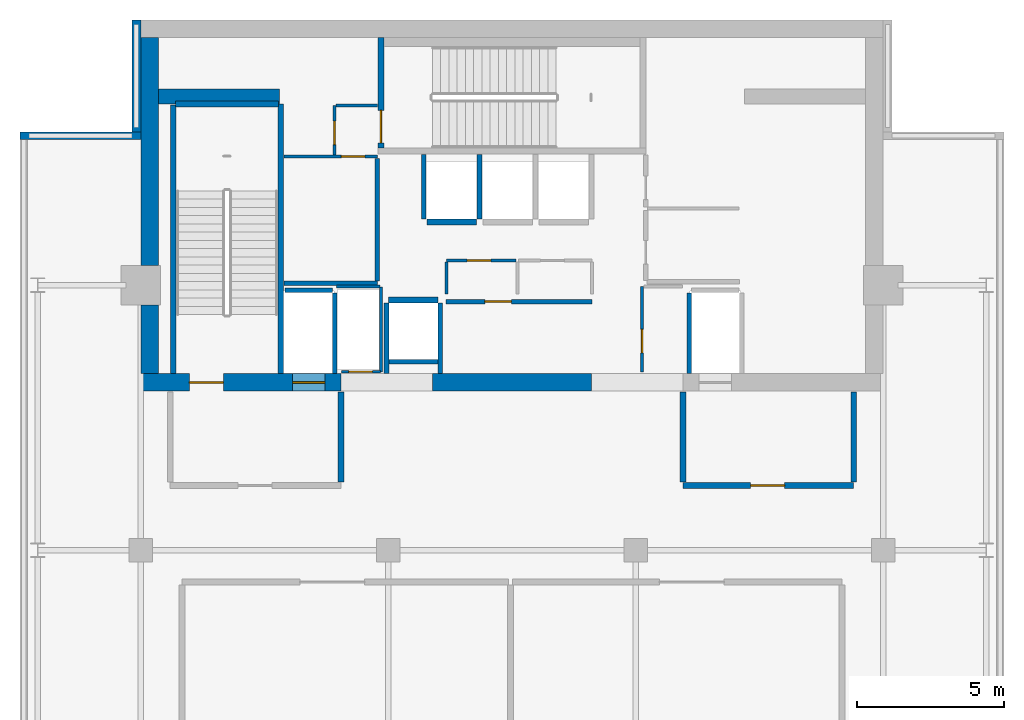
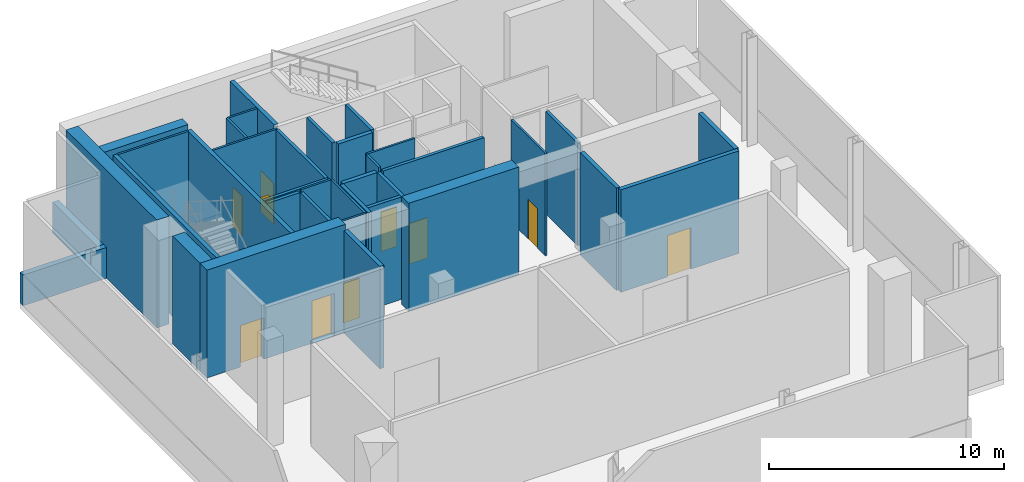
# One storey, part 2 of 6: 37 walls, 10 doors, 10 openings.
"""IFC4 building model written with IfcOpenShell, lengths in metres."""

from ifc_helpers import new_model, si_unit, direction, frame, frame_2d, origin, place, context, subcontext, project, spatial, rectangle, extrude, material, layer, layer_set, type_object, element, fill, save


model = new_model("IFC4")

# Units and contexts
model_context = context("Model", 3, precision=1e-05, world=origin(), true_north=direction((0.0, 1.0)))
body_context = subcontext(model_context, "Body", "Model", "MODEL_VIEW")
ifc_project = project(units=[si_unit("LENGTHUNIT", "METRE"), si_unit("AREAUNIT", "SQUARE_METRE"), si_unit("VOLUMEUNIT", "CUBIC_METRE"), si_unit("PLANEANGLEUNIT", "RADIAN"), si_unit("MASSUNIT", "GRAM", prefix="KILO")], contexts=[model_context])

# Site, building, storey
site_placement = place(None, origin())
site = spatial("IfcSite", under=ifc_project, at=site_placement, CompositionType="ELEMENT")
building_placement = place(site_placement, origin())
building = spatial("IfcBuilding", under=site, at=building_placement, Name="Maruvema Waterfront Hotel and Observation Tower", CompositionType="ELEMENT")
storey_placement = place(building_placement, frame((0.0, 0.0, 364.35009765625)))
storey = spatial("IfcBuildingStorey", under=building, at=storey_placement, Name="L89", CompositionType="ELEMENT", Elevation=364.35009765625)

# Wall, opening, door
ifc_material_1 = material(Name="Twin-stud acoustic gypsum drywall", Category="gypsum")
ifc_layer_1 = layer(ifc_material_1, 0.14990234375, Name="Acoustic Corridor and Suite Demising Wall 150 mm")
ifc_layer_set_1 = layer_set([ifc_layer_1], Name="Twin-stud acoustic gypsum drywall")
wall_type_1 = type_object("IfcWallType", Name="Acoustic Corridor and Suite Demising Wall 150 mm", PredefinedType="PARTITIONING", material=ifc_layer_set_1)
wall_1_placement = place(storey_placement, frame((35.56005859375, 44.43994140625, 0.0), z_axis=(0.0, 0.0, 1.0), x_axis=(1.0, 0.0, 0.0)))
wall_1 = element("IfcWall", 1, at=wall_1_placement, inside=storey, type_object=wall_type_1, Name="L89 Freed B3 Wall 017", PredefinedType="PARTITIONING", context=body_context, shape_type="SweptSolid", body=[
    extrude(rectangle(XDim=4.9599609375, YDim=0.14990234375, at=frame_2d((2.47998046875, 0.0))), origin(), (0.0, 0.0, 1.0), 5.31982421875),
])
opening_1_placement = place(wall_1_placement, frame((1.320068359375, 0.0, 0.0)))
opening_1 = element("IfcOpeningElement", 2, at=opening_1_placement, cuts=wall_1, Name="Opening DR-090", PredefinedType="OPENING", context=body_context, shape_type="SweptSolid", body=[
    extrude(rectangle(XDim=0.89990234375, YDim=2.10009765625, at=frame_2d((0.449951171875, 1.050048828125))), frame((0.0, 0.0849609375, 0.0), z_axis=(0.0, -1.0, 0.0), x_axis=(1.0, 0.0, 0.0)), (0.0, 0.0, 1.0), 0.169921875),
])
ifc_material_2 = material(Name="Solid-core lacquered timber leaf", Category="wood")
door_type_1 = type_object("IfcDoorType", Name="Accessible Toilet and Room Door 900x2100 mm", OperationType="NOTDEFINED", PredefinedType="DOOR", material=ifc_material_2)
door_1_placement = place(opening_1_placement, origin())
door_1 = element("IfcDoor", 3, at=door_1_placement, inside=storey, type_object=door_type_1, Name="L89 Freed B3 Door", OperationType="SINGLE_SWING_LEFT", OverallHeight=2.10009765625, OverallWidth=0.89990234375, PredefinedType="DOOR", context=body_context, shape_type="SweptSolid", body=[
    extrude(rectangle(XDim=0.89990234375, YDim=2.10009765625, at=frame_2d((0.449951171875, 1.050048828125))), frame((0.0, 0.02490234375, 0.0), z_axis=(0.0, -1.0, 0.0), x_axis=(1.0, 0.0, 0.0)), (0.0, 0.0, 1.0), 0.050048828125),
])
fill(opening_1, door_1)

# Walls
wall_2_placement = place(storey_placement, frame((30.06005859375, 45.06005859375, 0.0), z_axis=(0.0, 0.0, 1.0), x_axis=(1.0, 0.0, 0.0)))
element("IfcWall", 4, at=wall_2_placement, inside=storey, type_object=wall_type_1, Name="L89 Freed B1 South Wall 018", PredefinedType="PARTITIONING", context=body_context, shape_type="SweptSolid", body=[
    extrude(rectangle(XDim=3.179931640625, YDim=0.14990234375, at=frame_2d((1.58984375, 0.0))), origin(), (0.0, 0.0, 1.0), 5.31982421875),
])
wall_3_placement = place(storey_placement, frame((33.219970703125, 45.139892578125, 0.0), z_axis=(0.0, 0.0, 1.0), x_axis=(0.0, 1.0, 0.0)))
element("IfcWall", 5, at=wall_3_placement, inside=storey, type_object=wall_type_1, Name="L89 Freed B1 East Wall 019", PredefinedType="PARTITIONING", context=body_context, shape_type="SweptSolid", body=[
    extrude(rectangle(XDim=4.16015625, YDim=0.14990234375, at=frame_2d((2.080078125, 0.0))), origin(), (0.0, 0.0, 1.0), 5.31982421875),
])
ifc_material_3 = material(Name="Precast concrete C45/55", Category="concrete")
ifc_layer_2 = layer(ifc_material_3, 0.199951171875, Name="Core Shaft and Stairwell Enclosure Wall 200 mm")
ifc_layer_set_2 = layer_set([ifc_layer_2], Name="Precast concrete C45/55")
wall_type_2 = type_object("IfcWallType", Name="Core Shaft and Stairwell Enclosure Wall 200 mm", PredefinedType="SOLIDWALL", material=ifc_layer_set_2)
wall_4_placement = place(storey_placement, frame((29.949951171875, 42.0, 0.0), z_axis=(0.0, 0.0, 1.0), x_axis=(0.0, 1.0, 0.0)))
element("IfcWall", 6, at=wall_4_placement, inside=storey, type_object=wall_type_2, Name="L89 Stairwell ST-01 East Shaft Wall", PredefinedType="SOLIDWALL", context=body_context, shape_type="SweptSolid", body=[
    extrude(rectangle(XDim=9.14990234375, YDim=0.199951171875, at=frame_2d((4.574951171875, 0.0))), origin(), (0.0, 0.0, 1.0), 5.31982421875),
])
wall_5_placement = place(storey_placement, frame((26.300048828125, 42.0, 0.0), z_axis=(0.0, 0.0, 1.0), x_axis=(0.0, 1.0, 0.0)))
element("IfcWall", 7, at=wall_5_placement, inside=storey, type_object=wall_type_2, Name="L89 Stairwell ST-01 Shaft Lining Wall", PredefinedType="SOLIDWALL", context=body_context, shape_type="SweptSolid", body=[
    extrude(rectangle(XDim=9.1201171875, YDim=0.199951171875, at=frame_2d((4.56005859375, 0.0))), origin(), (0.0, 0.0, 1.0), 5.31982421875),
])
wall_6_placement = place(storey_placement, frame((26.3798828125, 51.14990234375, 0.0), z_axis=(0.0, 0.0, 1.0), x_axis=(1.0, 0.0, 0.0)))
element("IfcWall", 8, at=wall_6_placement, inside=storey, type_object=wall_type_2, Name="L89 Stairwell ST-01 Shaft Lining Wall", PredefinedType="SOLIDWALL", context=body_context, shape_type="SweptSolid", body=[
    extrude(rectangle(XDim=3.5, YDim=0.199951171875, at=frame_2d((1.75, 0.0))), origin(), (0.0, 0.0, 1.0), 5.31982421875),
])

# Wall, opening, door
wall_7_placement = place(storey_placement, frame((33.35009765625, 49.64990234375, 0.0), z_axis=(0.0, 0.0, 1.0), x_axis=(0.0, 1.0, 0.0)))
wall_7 = element("IfcWall", 9, at=wall_7_placement, inside=storey, type_object=wall_type_2, Name="L89 Stairwell ST-02 Shaft Wall", PredefinedType="SOLIDWALL", context=body_context, shape_type="SweptSolid", body=[
    extrude(rectangle(XDim=3.75, YDim=0.199951171875, at=frame_2d((1.875, 0.0))), origin(), (0.0, 0.0, 1.0), 5.31982421875),
])
opening_2_placement = place(wall_7_placement, frame((0.179931640625, 0.0, 0.0)))
opening_2 = element("IfcOpeningElement", 10, at=opening_2_placement, cuts=wall_7, Name="Opening SD-02", PredefinedType="OPENING", context=body_context, shape_type="SweptSolid", body=[
    extrude(rectangle(XDim=1.10009765625, YDim=2.14990234375, at=frame_2d((0.550048828125, 1.074951171875))), frame((0.0, 0.10986328125, 0.0), z_axis=(0.0, -1.0, 0.0), x_axis=(1.0, 0.0, 0.0)), (0.0, 0.0, 1.0), 0.219970703125),
])
ifc_material_4 = material(Name="Fire-rated galvanised steel leaf", Category="steel")
door_type_2 = type_object("IfcDoorType", Name="Central Exit Stair Fire Door 1100x2150 mm", OperationType="NOTDEFINED", PredefinedType="DOOR", material=ifc_material_4)
door_2_placement = place(opening_2_placement, frame((1.10009765625, 0.0, 0.0), z_axis=(0.0, 0.0, 1.0), x_axis=(-1.0, 0.0, 0.0)))
door_2 = element("IfcDoor", 11, at=door_2_placement, inside=storey, type_object=door_type_2, Name="L89 Exit Stair ST-02 Fire Door", OperationType="SINGLE_SWING_LEFT", OverallHeight=2.14990234375, OverallWidth=1.10009765625, PredefinedType="DOOR", context=body_context, shape_type="SweptSolid", body=[
    extrude(rectangle(XDim=1.10009765625, YDim=2.14990234375, at=frame_2d((0.550048828125, 1.074951171875))), frame((0.0, 0.02490234375, 0.0), z_axis=(0.0, -1.0, 0.0), x_axis=(1.0, 0.0, 0.0)), (0.0, 0.0, 1.0), 0.050048828125),
])
fill(opening_2, door_2)

# Walls
wall_8_placement = place(storey_placement, frame((34.909912109375, 47.14990234375, 0.0), z_axis=(0.0, 0.0, 1.0), x_axis=(1.0, 0.0, 0.0)))
element("IfcWall", 12, at=wall_8_placement, inside=storey, type_object=wall_type_2, Name="L89 Lift LF-12 Hoistway Front Wall", PredefinedType="SOLIDWALL", context=body_context, shape_type="SweptSolid", body=[
    extrude(rectangle(XDim=1.68017578125, YDim=0.199951171875, at=frame_2d((0.840087890625, 0.0))), origin(), (0.0, 0.0, 1.0), 5.31982421875),
])
wall_9_placement = place(storey_placement, frame((33.610107421875, 44.5, 0.0), z_axis=(0.0, 0.0, 1.0), x_axis=(1.0, 0.0, 0.0)))
element("IfcWall", 13, at=wall_9_placement, inside=storey, type_object=wall_type_2, Name="L89 Lift LF-15 Hoistway Front Wall", PredefinedType="SOLIDWALL", context=body_context, shape_type="SweptSolid", body=[
    extrude(rectangle(XDim=1.679931640625, YDim=0.199951171875, at=frame_2d((0.83984375, 0.0))), origin(), (0.0, 0.0, 1.0), 5.31982421875),
])
ifc_material_5 = material(Name="Concrete C70/85", Category="concrete")
ifc_layer_3 = layer(ifc_material_5, 0.5, Name="Core Shear Wall 500 mm")
ifc_layer_set_3 = layer_set([ifc_layer_3], Name="Concrete C70/85")
wall_type_3 = type_object("IfcWallType", Name="Core Shear Wall 500 mm", PredefinedType="SHEAR", material=ifc_layer_set_3)
wall_10_placement = place(storey_placement, frame((25.800048828125, 51.39990234375, 0.0), z_axis=(0.0, 0.0, 1.0), x_axis=(1.0, 0.0, 0.0)))
element("IfcWall", 14, at=wall_10_placement, inside=storey, type_object=wall_type_3, Name="L89 Internal Core Shear Wall NW 500 mm", PredefinedType="SHEAR", context=body_context, shape_type="SweptSolid", body=[
    extrude(rectangle(XDim=4.099853515625, YDim=0.5, at=frame_2d((2.0498046875, 0.0))), origin(), (0.0, 0.0, 1.0), 5.599853515625),
])

# Wall, openings, doors
ifc_material_6 = material(Name="Concrete C60/75", Category="concrete")
ifc_layer_4 = layer(ifc_material_6, 0.60009765625, Name="Core Shear Wall 600 mm")
ifc_layer_set_4 = layer_set([ifc_layer_4], Name="Concrete C60/75")
wall_type_4 = type_object("IfcWallType", Name="Core Shear Wall 600 mm", PredefinedType="SHEAR", material=ifc_layer_set_4)
wall_11_placement = place(storey_placement, frame((25.199951171875, 41.699951171875, 0.0), z_axis=(0.0, 0.0, 1.0), x_axis=(1.0, 0.0, 0.0)))
wall_11 = element("IfcWall", 15, at=wall_11_placement, inside=storey, type_object=wall_type_4, Name="L89 South-West Core Shear Wall", PredefinedType="SHEAR", context=body_context, shape_type="SweptSolid", body=[
    extrude(rectangle(XDim=6.800048828125, YDim=0.60009765625, at=frame_2d((3.39990234375, 0.0))), origin(), (0.0, 0.0, 1.0), 5.599853515625),
])
opening_3_placement = place(wall_11_placement, frame((1.64990234375, 0.0, 0.0)))
opening_3 = element("IfcOpeningElement", 16, at=opening_3_placement, cuts=wall_11, Name="Opening SD-01", PredefinedType="OPENING", context=body_context, shape_type="SweptSolid", body=[
    extrude(rectangle(XDim=1.14990234375, YDim=2.14990234375, at=frame_2d((0.574951171875, 1.074951171875))), frame((0.0, 0.31005859375, 0.0), z_axis=(0.0, -1.0, 0.0), x_axis=(1.0, 0.0, 0.0)), (0.0, 0.0, 1.0), 0.6201171875),
])
opening_4_placement = place(wall_11_placement, frame((5.14990234375, 0.0, 0.0)))
opening_4 = element("IfcOpeningElement", 17, at=opening_4_placement, cuts=wall_11, Name="Opening LD-03", PredefinedType="OPENING", context=body_context, shape_type="SweptSolid", body=[
    extrude(rectangle(XDim=1.10009765625, YDim=2.199951171875, at=frame_2d((0.550048828125, 1.10009765625))), frame((0.0, 0.31005859375, 0.0), z_axis=(0.0, -1.0, 0.0), x_axis=(1.0, 0.0, 0.0)), (0.0, 0.0, 1.0), 0.6201171875),
])
ifc_material_7 = material(Name="Fire-rated galvanised steel leaf", Category="steel")
door_type_3 = type_object("IfcDoorType", Name="Exit Stair Fire Door 1150x2150 mm", OperationType="NOTDEFINED", PredefinedType="DOOR", material=ifc_material_7)
door_3_placement = place(opening_3_placement, origin())
door_3 = element("IfcDoor", 18, at=door_3_placement, inside=storey, type_object=door_type_3, Name="L89 Exit Stair ST-01 Fire Door", OperationType="SINGLE_SWING_LEFT", OverallHeight=2.14990234375, OverallWidth=1.14990234375, PredefinedType="DOOR", context=body_context, shape_type="SweptSolid", body=[
    extrude(rectangle(XDim=1.14990234375, YDim=2.14990234375, at=frame_2d((0.574951171875, 1.074951171875))), frame((0.0, 0.02490234375, 0.0), z_axis=(0.0, -1.0, 0.0), x_axis=(1.0, 0.0, 0.0)), (0.0, 0.0, 1.0), 0.050048828125),
])
fill(opening_3, door_3)
ifc_material_8 = material(Name="Brushed stainless steel Grade 316", Category="steel")
door_type_4 = type_object("IfcDoorType", Name="Firefighting Lift Sliding Landing Door 1100x2200 mm", OperationType="SLIDING_TO_LEFT", PredefinedType="DOOR", material=ifc_material_8)
door_4_placement = place(opening_4_placement, frame((1.10009765625, 0.0, 0.0), z_axis=(0.0, 0.0, 1.0), x_axis=(-1.0, 0.0, 0.0)))
door_4 = element("IfcDoor", 19, at=door_4_placement, inside=storey, type_object=door_type_4, Name="L89 Firefighting Lift FL-01 Landing Door", OperationType="SLIDING_TO_LEFT", OverallHeight=2.199951171875, OverallWidth=1.10009765625, PredefinedType="DOOR", context=body_context, shape_type="SweptSolid", body=[
    extrude(rectangle(XDim=1.10009765625, YDim=2.199951171875, at=frame_2d((0.550048828125, 1.10009765625))), frame((0.0, 0.02490234375, 0.0), z_axis=(0.0, -1.0, 0.0), x_axis=(1.0, 0.0, 0.0)), (0.0, 0.0, 1.0), 0.050048828125),
])
fill(opening_4, door_4)

# Walls
wall_12_placement = place(storey_placement, frame((35.10009765625, 41.699951171875, 0.0), z_axis=(0.0, 0.0, 1.0), x_axis=(1.0, 0.0, 0.0)))
element("IfcWall", 20, at=wall_12_placement, inside=storey, type_object=wall_type_4, Name="L89 South-Central Core Shear Wall", PredefinedType="SHEAR", context=body_context, shape_type="SweptSolid", body=[
    extrude(rectangle(XDim=5.39990234375, YDim=0.60009765625, at=frame_2d((2.699951171875, 0.0))), origin(), (0.0, 0.0, 1.0), 5.599853515625),
])
wall_13_placement = place(storey_placement, frame((25.5, 42.0, 0.0), z_axis=(0.0, 0.0, 1.0), x_axis=(0.0, 1.0, 0.0)))
element("IfcWall", 21, at=wall_13_placement, inside=storey, type_object=wall_type_4, Name="L89 West-South Core Shear Wall", PredefinedType="SHEAR", context=body_context, shape_type="SweptSolid", body=[
    extrude(rectangle(XDim=2.324951171875, YDim=0.60009765625, at=frame_2d((1.16259765625, 0.0))), origin(), (0.0, 0.0, 1.0), 5.599853515625),
])
wall_14_placement = place(storey_placement, frame((25.5, 45.675048828125, 0.0), z_axis=(0.0, 0.0, 1.0), x_axis=(0.0, 1.0, 0.0)))
element("IfcWall", 22, at=wall_14_placement, inside=storey, type_object=wall_type_4, Name="L89 West-North Core Shear Wall", PredefinedType="SHEAR", context=body_context, shape_type="SweptSolid", body=[
    extrude(rectangle(XDim=7.724853515625, YDim=0.60009765625, at=frame_2d((3.8623046875, 0.0))), origin(), (0.0, 0.0, 1.0), 5.599853515625),
])

# Wall, opening, door
ifc_material_9 = material(Name="Moisture-resistant cement-board drywall", Category="gypsum")
ifc_layer_5 = layer(ifc_material_9, 0.10009765625, Name="En-Suite Moisture-Resistant Partition 100 mm")
ifc_layer_set_5 = layer_set([ifc_layer_5], Name="Moisture-resistant cement-board drywall")
wall_type_5 = type_object("IfcWallType", Name="En-Suite Moisture-Resistant Partition 100 mm", PredefinedType="PARTITIONING", material=ifc_layer_set_5)
wall_15_placement = place(storey_placement, frame((32.02001953125, 42.06005859375, 0.0), z_axis=(0.0, 0.0, 1.0), x_axis=(1.0, 0.0, 0.0)))
wall_15 = element("IfcWall", 23, at=wall_15_placement, inside=storey, type_object=wall_type_5, Name="L89 Telecom Riser South Wall 007", PredefinedType="PARTITIONING", context=body_context, shape_type="SweptSolid", body=[
    extrude(rectangle(XDim=1.320068359375, YDim=0.10009765625, at=frame_2d((0.66015625, 0.0))), origin(), (0.0, 0.0, 1.0), 5.31982421875),
])
opening_5_placement = place(wall_15_placement, frame((0.239990234375, 0.0, 0.0)))
opening_5 = element("IfcOpeningElement", 24, at=opening_5_placement, cuts=wall_15, Name="Opening DR-080", PredefinedType="OPENING", context=body_context, shape_type="SweptSolid", body=[
    extrude(rectangle(XDim=0.800048828125, YDim=2.050048828125, at=frame_2d((0.39990234375, 1.02490234375))), frame((0.0, 0.06005859375, 0.0), z_axis=(0.0, -1.0, 0.0), x_axis=(1.0, 0.0, 0.0)), (0.0, 0.0, 1.0), 0.1201171875),
])
ifc_material_10 = material(Name="Powder-coated steel access leaf", Category="steel")
door_type_5 = type_object("IfcDoorType", Name="Riser and Service Cupboard Door 800x2050 mm", OperationType="NOTDEFINED", PredefinedType="DOOR", material=ifc_material_10)
door_5_placement = place(opening_5_placement, frame((0.800048828125, 0.0, 0.0), z_axis=(0.0, 0.0, 1.0), x_axis=(-1.0, 0.0, 0.0)))
door_5 = element("IfcDoor", 25, at=door_5_placement, inside=storey, type_object=door_type_5, Name="L89 Telecom Riser Door", OperationType="SINGLE_SWING_LEFT", OverallHeight=2.050048828125, OverallWidth=0.800048828125, PredefinedType="DOOR", context=body_context, shape_type="SweptSolid", body=[
    extrude(rectangle(XDim=0.800048828125, YDim=2.050048828125, at=frame_2d((0.39990234375, 1.02490234375))), frame((0.0, 0.02490234375, 0.0), z_axis=(0.0, -1.0, 0.0), x_axis=(1.0, 0.0, 0.0)), (0.0, 0.0, 1.0), 0.050048828125),
])
fill(opening_5, door_5)

# Walls
wall_16_placement = place(storey_placement, frame((31.840087890625, 44.9599609375, 0.0), z_axis=(0.0, 0.0, 1.0), x_axis=(1.0, 0.0, 0.0)))
element("IfcWall", 26, at=wall_16_placement, inside=storey, type_object=wall_type_5, Name="L89 Telecom Riser North Wall 008", PredefinedType="PARTITIONING", context=body_context, shape_type="SweptSolid", body=[
    extrude(rectangle(XDim=1.47998046875, YDim=0.10009765625, at=frame_2d((0.739990234375, 0.0))), origin(), (0.0, 0.0, 1.0), 5.31982421875),
])
wall_17_placement = place(storey_placement, frame((33.360107421875, 42.06005859375, 0.0), z_axis=(0.0, 0.0, 1.0), x_axis=(0.0, 1.0, 0.0)))
element("IfcWall", 27, at=wall_17_placement, inside=storey, type_object=wall_type_5, Name="L89 Telecom Riser East Wall 009", PredefinedType="PARTITIONING", context=body_context, shape_type="SweptSolid", body=[
    extrude(rectangle(XDim=2.8798828125, YDim=0.10009765625, at=frame_2d((1.43994140625, 0.0))), origin(), (0.0, 0.0, 1.0), 5.31982421875),
])

# Wall, opening, door
wall_18_placement = place(storey_placement, frame((35.580078125, 45.840087890625, 0.0), z_axis=(0.0, 0.0, 1.0), x_axis=(1.0, 0.0, 0.0)))
wall_18 = element("IfcWall", 28, at=wall_18_placement, inside=storey, type_object=wall_type_5, Name="L89 Core Closet K2A North 010", PredefinedType="PARTITIONING", context=body_context, shape_type="SweptSolid", body=[
    extrude(rectangle(XDim=2.35986328125, YDim=0.10009765625, at=frame_2d((1.179931640625, 0.0))), origin(), (0.0, 0.0, 1.0), 5.31982421875),
])
opening_6_placement = place(wall_18_placement, frame((0.699951171875, 0.0, 0.0)))
opening_6 = element("IfcOpeningElement", 29, at=opening_6_placement, cuts=wall_18, Name="Opening DR-080", PredefinedType="OPENING", context=body_context, shape_type="SweptSolid", body=[
    extrude(rectangle(XDim=0.800048828125, YDim=2.050048828125, at=frame_2d((0.39990234375, 1.02490234375))), frame((0.0, 0.06005859375, 0.0), z_axis=(0.0, -1.0, 0.0), x_axis=(1.0, 0.0, 0.0)), (0.0, 0.0, 1.0), 0.1201171875),
])
door_6_placement = place(opening_6_placement, origin())
door_6 = element("IfcDoor", 30, at=door_6_placement, inside=storey, type_object=door_type_5, Name="L89 Plant Control Closet Door", OperationType="SINGLE_SWING_RIGHT", OverallHeight=2.050048828125, OverallWidth=0.800048828125, PredefinedType="DOOR", context=body_context, shape_type="SweptSolid", body=[
    extrude(rectangle(XDim=0.800048828125, YDim=2.050048828125, at=frame_2d((0.39990234375, 1.02490234375))), frame((0.0, 0.02490234375, 0.0), z_axis=(0.0, -1.0, 0.0), x_axis=(1.0, 0.0, 0.0)), (0.0, 0.0, 1.0), 0.050048828125),
])
fill(opening_6, door_6)

# Wall
wall_19_placement = place(storey_placement, frame((35.580078125, 44.699951171875, 0.0), z_axis=(0.0, 0.0, 1.0), x_axis=(0.0, 1.0, 0.0)))
element("IfcWall", 31, at=wall_19_placement, inside=storey, type_object=wall_type_5, Name="L89 Core Closet K2 West 012", PredefinedType="PARTITIONING", context=body_context, shape_type="SweptSolid", body=[
    extrude(rectangle(XDim=1.080078125, YDim=0.10009765625, at=frame_2d((0.5400390625, 0.0))), origin(), (0.0, 0.0, 1.0), 5.31982421875),
])

# Wall, opening, door
wall_20_placement = place(storey_placement, frame((42.219970703125, 42.050048828125, 0.0), z_axis=(0.0, 0.0, 1.0), x_axis=(0.0, 1.0, 0.0)))
wall_20 = element("IfcWall", 32, at=wall_20_placement, inside=storey, type_object=wall_type_5, Name="L89 Core Closet K2C West 015", PredefinedType="PARTITIONING", context=body_context, shape_type="SweptSolid", body=[
    extrude(rectangle(XDim=2.909912109375, YDim=0.10009765625, at=frame_2d((1.455078125, 0.0))), origin(), (0.0, 0.0, 1.0), 5.31982421875),
])
opening_7_placement = place(wall_20_placement, frame((0.64990234375, 0.0, 0.0)))
opening_7 = element("IfcOpeningElement", 33, at=opening_7_placement, cuts=wall_20, Name="Opening DR-080", PredefinedType="OPENING", context=body_context, shape_type="SweptSolid", body=[
    extrude(rectangle(XDim=0.800048828125, YDim=2.050048828125, at=frame_2d((0.39990234375, 1.02490234375))), frame((0.0, 0.06005859375, 0.0), z_axis=(0.0, -1.0, 0.0), x_axis=(1.0, 0.0, 0.0)), (0.0, 0.0, 1.0), 0.1201171875),
])
door_7_placement = place(opening_7_placement, frame((0.800048828125, 0.0, 0.0), z_axis=(0.0, 0.0, 1.0), x_axis=(-1.0, 0.0, 0.0)))
door_7 = element("IfcDoor", 34, at=door_7_placement, inside=storey, type_object=door_type_5, Name="L89 Plant Fire Closet Door", OperationType="SINGLE_SWING_RIGHT", OverallHeight=2.050048828125, OverallWidth=0.800048828125, PredefinedType="DOOR", context=body_context, shape_type="SweptSolid", body=[
    extrude(rectangle(XDim=0.800048828125, YDim=2.050048828125, at=frame_2d((0.39990234375, 1.02490234375))), frame((0.0, 0.02490234375, 0.0), z_axis=(0.0, -1.0, 0.0), x_axis=(1.0, 0.0, 0.0)), (0.0, 0.0, 1.0), 0.050048828125),
])
fill(opening_7, door_7)

wall_21_placement = place(storey_placement, frame((30.06005859375, 49.360107421875, 0.0), z_axis=(0.0, 0.0, 1.0), x_axis=(1.0, 0.0, 0.0)))
wall_21 = element("IfcWall", 35, at=wall_21_placement, inside=storey, type_object=wall_type_5, Name="L89 Freed B1 Mid Wall 020", PredefinedType="PARTITIONING", context=body_context, shape_type="SweptSolid", body=[
    extrude(rectangle(XDim=3.179931640625, YDim=0.10009765625, at=frame_2d((1.58984375, 0.0))), origin(), (0.0, 0.0, 1.0), 5.31982421875),
])
opening_8_placement = place(wall_21_placement, frame((1.949951171875, 0.0, 0.0)))
opening_8 = element("IfcOpeningElement", 36, at=opening_8_placement, cuts=wall_21, Name="Opening DR-080", PredefinedType="OPENING", context=body_context, shape_type="SweptSolid", body=[
    extrude(rectangle(XDim=0.800048828125, YDim=2.050048828125, at=frame_2d((0.39990234375, 1.02490234375))), frame((0.0, 0.06005859375, 0.0), z_axis=(0.0, -1.0, 0.0), x_axis=(1.0, 0.0, 0.0)), (0.0, 0.0, 1.0), 0.1201171875),
])
door_8_placement = place(opening_8_placement, origin())
door_8 = element("IfcDoor", 37, at=door_8_placement, inside=storey, type_object=door_type_5, Name="L89 Plant Equipment Store West Door", OperationType="SINGLE_SWING_RIGHT", OverallHeight=2.050048828125, OverallWidth=0.800048828125, PredefinedType="DOOR", context=body_context, shape_type="SweptSolid", body=[
    extrude(rectangle(XDim=0.800048828125, YDim=2.050048828125, at=frame_2d((0.39990234375, 1.02490234375))), frame((0.0, 0.02490234375, 0.0), z_axis=(0.0, -1.0, 0.0), x_axis=(1.0, 0.0, 0.0)), (0.0, 0.0, 1.0), 0.050048828125),
])
fill(opening_8, door_8)

wall_22_placement = place(storey_placement, frame((31.780029296875, 49.419921875, 0.0), z_axis=(0.0, 0.0, 1.0), x_axis=(0.0, 1.0, 0.0)))
wall_22 = element("IfcWall", 38, at=wall_22_placement, inside=storey, type_object=wall_type_5, Name="L89 Freed B1 NW East Wall 021", PredefinedType="PARTITIONING", context=body_context, shape_type="SweptSolid", body=[
    extrude(rectangle(XDim=1.68017578125, YDim=0.10009765625, at=frame_2d((0.840087890625, 0.0))), origin(), (0.0, 0.0, 1.0), 5.31982421875),
])
opening_9_placement = place(wall_22_placement, frame((0.35009765625, 0.0, 0.0)))
opening_9 = element("IfcOpeningElement", 39, at=opening_9_placement, cuts=wall_22, Name="Opening DR-080", PredefinedType="OPENING", context=body_context, shape_type="SweptSolid", body=[
    extrude(rectangle(XDim=0.800048828125, YDim=2.050048828125, at=frame_2d((0.39990234375, 1.02490234375))), frame((0.0, 0.06005859375, 0.0), z_axis=(0.0, -1.0, 0.0), x_axis=(1.0, 0.0, 0.0)), (0.0, 0.0, 1.0), 0.1201171875),
])
door_9_placement = place(opening_9_placement, origin())
door_9 = element("IfcDoor", 40, at=door_9_placement, inside=storey, type_object=door_type_5, Name="L89 Plant Electrical Closet West Door", OperationType="SINGLE_SWING_LEFT", OverallHeight=2.050048828125, OverallWidth=0.800048828125, PredefinedType="DOOR", context=body_context, shape_type="SweptSolid", body=[
    extrude(rectangle(XDim=0.800048828125, YDim=2.050048828125, at=frame_2d((0.39990234375, 1.02490234375))), frame((0.0, 0.02490234375, 0.0), z_axis=(0.0, -1.0, 0.0), x_axis=(1.0, 0.0, 0.0)), (0.0, 0.0, 1.0), 0.050048828125),
])
fill(opening_9, door_9)

# Walls
wall_23_placement = place(storey_placement, frame((31.820068359375, 51.10009765625, 0.0), z_axis=(0.0, 0.0, 1.0), x_axis=(1.0, 0.0, 0.0)))
element("IfcWall", 41, at=wall_23_placement, inside=storey, type_object=wall_type_5, Name="L89 Freed B1 Vestibule North Wall 022", PredefinedType="PARTITIONING", context=body_context, shape_type="SweptSolid", body=[
    extrude(rectangle(XDim=1.419921875, YDim=0.10009765625, at=frame_2d((0.7099609375, 0.0))), origin(), (0.0, 0.0, 1.0), 5.31982421875),
])
ifc_material_11 = material(Name="Precast concrete C45/55 with honed Pernambuco granite facing", Category="masonry")
ifc_layer_6 = layer(ifc_material_11, 0.260009765625, Name="Exterior Granite Clad Spandrel and Pier Wall 260 mm")
ifc_layer_set_6 = layer_set([ifc_layer_6], Name="Precast concrete C45/55 with honed Pernambuco granite facing")
wall_type_6 = type_object("IfcWallType", Name="Exterior Granite Clad Spandrel and Pier Wall 260 mm", PredefinedType="SOLIDWALL", material=ifc_layer_set_6)
wall_24_placement = place(storey_placement, frame((25.199951171875, 50.070068359375, 0.0), z_axis=(0.0, 0.0, 1.0), x_axis=(-1.0, 0.0, 0.0)))
element("IfcWall", 42, at=wall_24_placement, inside=storey, type_object=wall_type_6, Name="L89 Mechanical Perimeter Spandrel Wall 09", PredefinedType="SOLIDWALL", context=body_context, shape_type="SweptSolid", body=[
    extrude(rectangle(XDim=4.099853515625, YDim=0.260009765625, at=frame_2d((2.0498046875, 0.0))), origin(), (0.0, 0.0, 1.0), 1.599853515625),
])
ifc_material_12 = material(Name="Autoclaved cellular concrete blockwork", Category="masonry")
ifc_layer_7 = layer(ifc_material_12, 0.199951171875, Name="Fire Compartment Masonry Wall 200 mm")
ifc_layer_set_7 = layer_set([ifc_layer_7], Name="Autoclaved cellular concrete blockwork")
wall_type_7 = type_object("IfcWallType", Name="Fire Compartment Masonry Wall 200 mm", PredefinedType="PARTITIONING", material=ifc_layer_set_7)
wall_25_placement = place(storey_placement, frame((32.0, 38.31005859375, 0.0), z_axis=(0.0, 0.0, 1.0), x_axis=(0.0, 1.0, 0.0)))
element("IfcWall", 43, at=wall_25_placement, inside=storey, type_object=wall_type_7, Name="L89 FFL West East Wall 003", PredefinedType="PARTITIONING", context=body_context, shape_type="SweptSolid", body=[
    extrude(rectangle(XDim=3.06982421875, YDim=0.199951171875, at=frame_2d((1.534912109375, 0.0))), origin(), (0.0, 0.0, 1.0), 5.31982421875),
])

# Wall, opening, door
wall_26_placement = place(storey_placement, frame((43.60009765625, 38.199951171875, 0.0), z_axis=(0.0, 0.0, 1.0), x_axis=(1.0, 0.0, 0.0)))
wall_26 = element("IfcWall", 44, at=wall_26_placement, inside=storey, type_object=wall_type_7, Name="L89 FFL East South Wall 004", PredefinedType="PARTITIONING", context=body_context, shape_type="SweptSolid", body=[
    extrude(rectangle(XDim=5.7998046875, YDim=0.199951171875, at=frame_2d((2.89990234375, 0.0))), origin(), (0.0, 0.0, 1.0), 5.31982421875),
])
opening_10_placement = place(wall_26_placement, frame((2.300048828125, 0.0, 0.0)))
opening_10 = element("IfcOpeningElement", 45, at=opening_10_placement, cuts=wall_26, Name="Opening FD-115", PredefinedType="OPENING", context=body_context, shape_type="SweptSolid", body=[
    extrude(rectangle(XDim=1.14990234375, YDim=2.14990234375, at=frame_2d((0.574951171875, 1.074951171875))), frame((0.0, 0.10986328125, 0.0), z_axis=(0.0, -1.0, 0.0), x_axis=(1.0, 0.0, 0.0)), (0.0, 0.0, 1.0), 0.219970703125),
])
ifc_material_13 = material(Name="Fire-rated galvanised steel and vision glass", Category="steel")
door_type_6 = type_object("IfcDoorType", Name="Firefighting Lobby Fire Door 1150x2150 mm", OperationType="NOTDEFINED", PredefinedType="DOOR", material=ifc_material_13)
door_10_placement = place(opening_10_placement, frame((1.14990234375, 0.0, 0.0), z_axis=(0.0, 0.0, 1.0), x_axis=(-1.0, 0.0, 0.0)))
door_10 = element("IfcDoor", 46, at=door_10_placement, inside=storey, type_object=door_type_6, Name="L89 Firefighting Lobby East Door", OperationType="SINGLE_SWING_RIGHT", OverallHeight=2.14990234375, OverallWidth=1.14990234375, PredefinedType="DOOR", context=body_context, shape_type="SweptSolid", body=[
    extrude(rectangle(XDim=1.14990234375, YDim=2.14990234375, at=frame_2d((0.574951171875, 1.074951171875))), frame((0.0, 0.02490234375, 0.0), z_axis=(0.0, -1.0, 0.0), x_axis=(1.0, 0.0, 0.0)), (0.0, 0.0, 1.0), 0.050048828125),
])
fill(opening_10, door_10)

# Walls
for number, where, z_axis, x_axis, name in (
    (47, (43.60009765625, 38.31005859375, 0.0), (0.0, 0.0, 1.0), (0.0, 1.0, 0.0), "L89 FFL East West Wall 005"),
    (48, (49.39990234375, 38.31005859375, 0.0), (0.0, 0.0, 1.0), (0.0, 1.0, 0.0), "L89 FFL East East Wall 006"),
):
    element("IfcWall", number, at=place(storey_placement, frame(where, z_axis=z_axis, x_axis=x_axis)), inside=storey, type_object=wall_type_7, Name=name, PredefinedType="PARTITIONING", context=body_context, shape_type="SweptSolid", body=[
        extrude(rectangle(XDim=3.06982421875, YDim=0.199951171875, at=frame_2d((1.534912109375, 0.0))), origin(), (0.0, 0.0, 1.0), 5.31982421875),
    ])
ifc_material_14 = material(Name="Precast concrete C45/55", Category="concrete")
ifc_layer_8 = layer(ifc_material_14, 0.159912109375, Name="Lift Hoistway Divider Wall 160 mm")
ifc_layer_set_8 = layer_set([ifc_layer_8], Name="Precast concrete C45/55")
wall_type_8 = type_object("IfcWallType", Name="Lift Hoistway Divider Wall 160 mm", PredefinedType="SOLIDWALL", material=ifc_layer_set_8)
wall_27_placement = place(storey_placement, frame((30.10009765625, 44.830078125, 0.0), z_axis=(0.0, 0.0, 1.0), x_axis=(1.0, 0.0, 0.0)))
element("IfcWall", 49, at=wall_27_placement, inside=storey, type_object=wall_type_8, Name="L89 Lift FL-01 Rear Hoistway Wall", PredefinedType="SOLIDWALL", context=body_context, shape_type="SweptSolid", body=[
    extrude(rectangle(XDim=1.599853515625, YDim=0.159912109375, at=frame_2d((0.7998046875, 0.0))), origin(), (0.0, 0.0, 1.0), 5.31982421875),
])
for number, where, z_axis, x_axis, name in (
    (50, (31.780029296875, 42.0, 0.0), (0.0, 0.0, 1.0), (0.0, 1.0, 0.0), "L89 Lift FL-01 Inner Hoistway Wall"),
    (51, (43.820068359375, 42.0, 0.0), (0.0, 0.0, 1.0), (0.0, 1.0, 0.0), "L89 Lift FL-02 Inner Hoistway Wall"),
):
    element("IfcWall", number, at=place(storey_placement, frame(where, z_axis=z_axis, x_axis=x_axis)), inside=storey, type_object=wall_type_8, Name=name, PredefinedType="SOLIDWALL", context=body_context, shape_type="SweptSolid", body=[
        extrude(rectangle(XDim=2.739990234375, YDim=0.159912109375, at=frame_2d((1.3701171875, 0.0))), origin(), (0.0, 0.0, 1.0), 5.31982421875),
    ])
for number, where, z_axis, x_axis, name in (
    (52, (34.800048828125, 47.25, 0.0), (0.0, 0.0, 1.0), (0.0, 1.0, 0.0), "L89 Hoistway Divider Wall"),
    (53, (36.699951171875, 47.25, 0.0), (0.0, 0.0, 1.0), (0.0, 1.0, 0.0), "L89 Hoistway Divider Wall"),
):
    element("IfcWall", number, at=place(storey_placement, frame(where, z_axis=z_axis, x_axis=x_axis)), inside=storey, type_object=wall_type_8, Name=name, PredefinedType="SOLIDWALL", context=body_context, shape_type="SweptSolid", body=[
        extrude(rectangle(XDim=2.18994140625, YDim=0.159912109375, at=frame_2d((1.094970703125, 0.0))), origin(), (0.0, 0.0, 1.0), 5.31982421875),
    ])
for number, where, z_axis, x_axis, name in (
    (54, (33.5400390625, 42.0, 0.0), (0.0, 0.0, 1.0), (0.0, 1.0, 0.0), "L89 Hoistway Divider Wall"),
    (55, (35.360107421875, 42.0, 0.0), (0.0, 0.0, 1.0), (0.0, 1.0, 0.0), "L89 Hoistway Divider Wall"),
):
    element("IfcWall", number, at=place(storey_placement, frame(where, z_axis=z_axis, x_axis=x_axis)), inside=storey, type_object=wall_type_8, Name=name, PredefinedType="SOLIDWALL", context=body_context, shape_type="SweptSolid", body=[
        extrude(rectangle(XDim=2.39990234375, YDim=0.159912109375, at=frame_2d((1.199951171875, 0.0))), origin(), (0.0, 0.0, 1.0), 5.31982421875),
    ])
wall_28_placement = place(storey_placement, frame((33.6201171875, 42.39990234375, 0.0), z_axis=(0.0, 0.0, 1.0), x_axis=(1.0, 0.0, 0.0)))
element("IfcWall", 56, at=wall_28_placement, inside=storey, type_object=wall_type_8, Name="L89 Hoistway Divider Wall", PredefinedType="SOLIDWALL", context=body_context, shape_type="SweptSolid", body=[
    extrude(rectangle(XDim=1.659912109375, YDim=0.159912109375, at=frame_2d((0.830078125, 0.0))), origin(), (0.0, 0.0, 1.0), 5.31982421875),
])
ifc_material_15 = material(Name="Precast concrete C45/55 with honed Pernambuco granite facing", Category="masonry")
ifc_layer_9 = layer(ifc_material_15, 0.300048828125, Name="Podium Waterfront Granite Colonnade Wall 300 mm")
ifc_layer_set_9 = layer_set([ifc_layer_9], Name="Precast concrete C45/55 with honed Pernambuco granite facing")
wall_type_9 = type_object("IfcWallType", Name="Podium Waterfront Granite Colonnade Wall 300 mm", PredefinedType="SOLIDWALL", material=ifc_layer_set_9)
wall_29_placement = place(storey_placement, frame((25.050048828125, 54.0, 0.0), z_axis=(0.0, 0.0, 1.0), x_axis=(0.0, -1.0, 0.0)))
element("IfcWall", 57, at=wall_29_placement, inside=storey, type_object=wall_type_9, Name="L89 Mechanical Perimeter Spandrel Wall 08", PredefinedType="SOLIDWALL", context=body_context, shape_type="SweptSolid", body=[
    extrude(rectangle(XDim=3.800048828125, YDim=0.300048828125, at=frame_2d((1.89990234375, 0.0))), origin(), (0.0, 0.0, 1.0), 1.599853515625),
])

save(model, "model.ifc")
